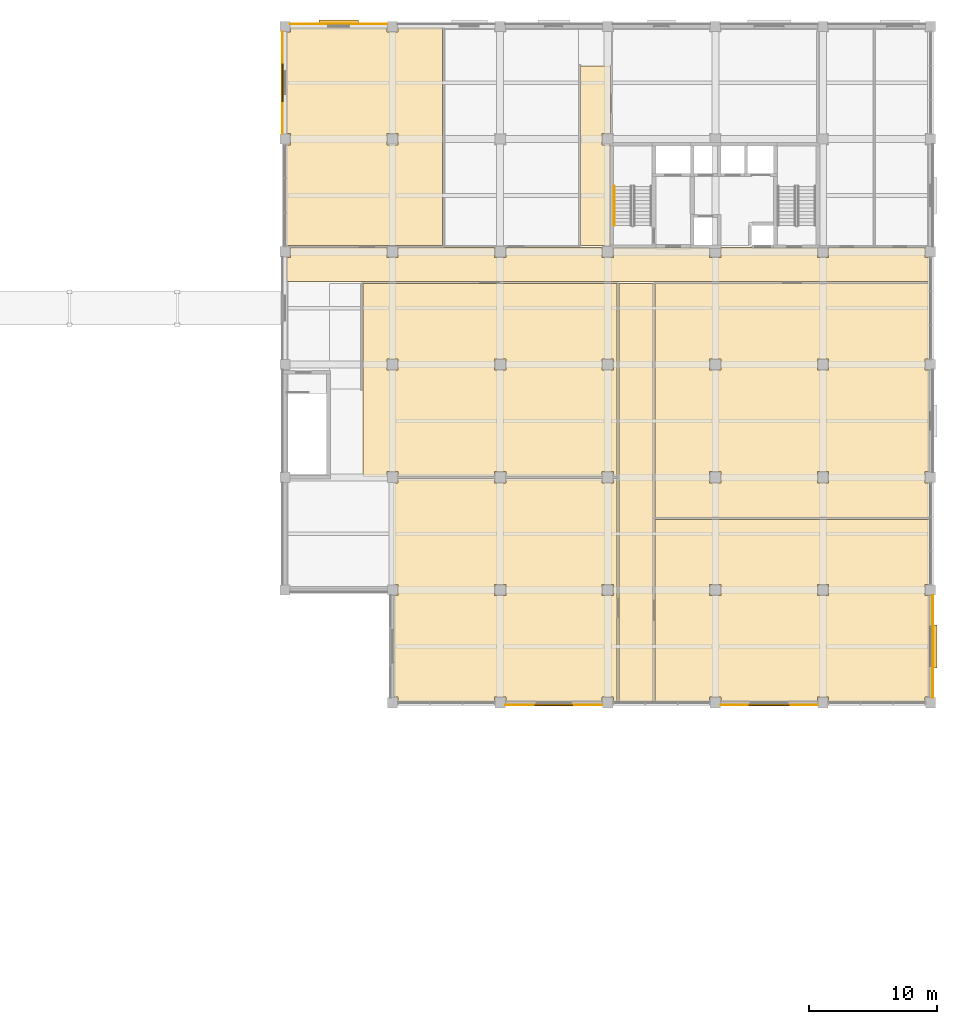
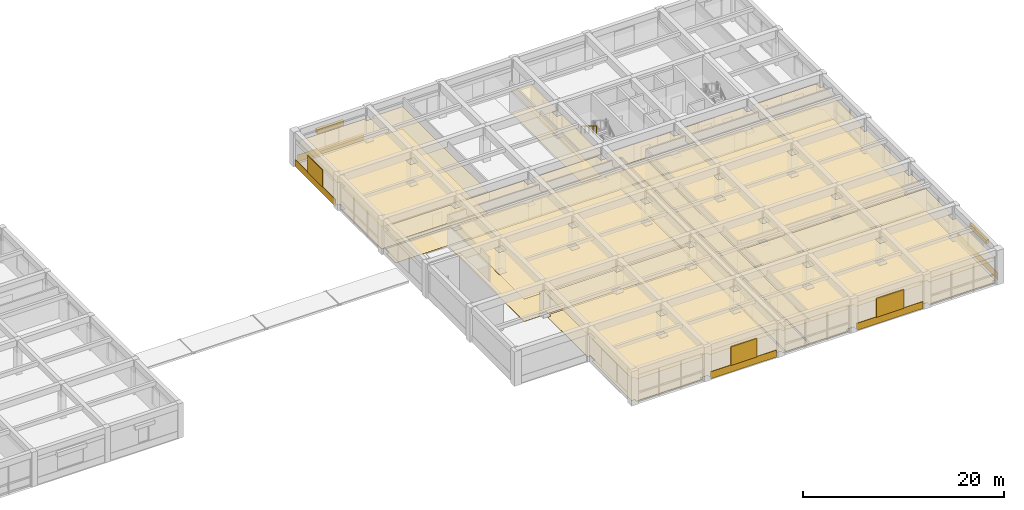
# One storey, part 44 of 46: 21 coverings, 5 shading devices, 1 railing.
"""IFC4 building model written with IfcOpenShell, lengths in metres."""

from ifc_helpers import new_model, si_unit, direction, frame, origin, origin_2d, place, context, subcontext, project, spatial, polyline, rectangle, circle, outline, extrude, material, layer, layer_set, type_object, element, save


model = new_model("IFC4")

# Units and contexts
model_context = context("Model", 3, precision=1e-05, world=origin(), true_north=direction((0.0, 1.0)))
body_context = subcontext(model_context, "Body", "Model", "MODEL_VIEW")
ifc_project = project(units=[si_unit("LENGTHUNIT", "METRE"), si_unit("AREAUNIT", "SQUARE_METRE"), si_unit("VOLUMEUNIT", "CUBIC_METRE"), si_unit("PLANEANGLEUNIT", "RADIAN"), si_unit("MASSUNIT", "GRAM", prefix="KILO")], contexts=[model_context])

# Site, building, storey
site_placement = place(None, origin())
site = spatial("IfcSite", under=ifc_project, at=site_placement, CompositionType="ELEMENT")
building_placement = place(site_placement, origin())
building = spatial("IfcBuilding", under=site, at=building_placement, Name="Kemercrest Conservatory and Botanical Centre", CompositionType="ELEMENT")
storey_placement = place(building_placement, frame((0.0, 0.0, 9.0)))
storey = spatial("IfcBuildingStorey", under=building, at=storey_placement, Name="L02", CompositionType="ELEMENT", Elevation=9.0)

# Coverings
ifc_material_1 = material(Name="Honed limestone almasik ashlar rainscreen", Category="masonry")
ifc_layer_1 = layer(ifc_material_1, 0.0400390625)
ifc_layer_set_1 = layer_set([ifc_layer_1], Name="Honed limestone almasik ashlar rainscreen")
covering_type_1 = type_object("IfcCoveringType", Name="CV-CLD040", PredefinedType="CLADDING", material=ifc_layer_set_1)
covering_1_placement = place(storey_placement, origin())
element("IfcCovering", 1, at=covering_1_placement, inside=storey, type_object=covering_type_1, Name="Exterior stone spandrel cladding (WAL:L02:EXT-193)", PredefinedType="CLADDING", context=body_context, shape_type="SweptSolid", body=[
    extrude(outline(polyline([(142.81005859375, 69.449951171875), (142.81005859375, 69.409912109375), (150.389892578125, 69.409912109375), (150.389892578125, 69.449951171875), (142.81005859375, 69.449951171875)])), origin(), (0.0, 0.0, 1.0), 0.85009765625),
])
covering_2_placement = place(storey_placement, origin())
element("IfcCovering", 2, at=covering_2_placement, inside=storey, type_object=covering_type_1, Name="Exterior stone spandrel cladding (WAL:L02:EXT-194)", PredefinedType="CLADDING", context=body_context, shape_type="SweptSolid", body=[
    extrude(outline(polyline([(159.610107421875, 69.449951171875), (159.610107421875, 69.409912109375), (167.18994140625, 69.409912109375), (167.18994140625, 69.449951171875), (159.610107421875, 69.449951171875)])), origin(), (0.0, 0.0, 1.0), 0.85009765625),
])
covering_3_placement = place(storey_placement, origin())
element("IfcCovering", 3, at=covering_3_placement, inside=storey, type_object=covering_type_1, Name="Exterior stone spandrel cladding (WAL:L02:EXT-195)", PredefinedType="CLADDING", context=body_context, shape_type="SweptSolid", body=[
    extrude(outline(polyline([(176.14990234375, 70.010009765625), (176.18994140625, 70.010009765625), (176.18994140625, 77.989990234375), (176.14990234375, 77.989990234375), (176.14990234375, 70.010009765625)])), origin(), (0.0, 0.0, 1.0), 0.85009765625),
])
covering_4_placement = place(storey_placement, origin())
element("IfcCovering", 4, at=covering_4_placement, inside=storey, type_object=covering_type_1, Name="Exterior stone spandrel cladding (WAL:L02:EXT-203)", PredefinedType="CLADDING", context=body_context, shape_type="SweptSolid", body=[
    extrude(outline(polyline([(133.590087890625, 122.550048828125), (133.590087890625, 122.590087890625), (126.010009765625, 122.590087890625), (126.010009765625, 122.550048828125), (133.590087890625, 122.550048828125)])), origin(), (0.0, 0.0, 1.0), 0.85009765625),
])
covering_5_placement = place(storey_placement, origin())
element("IfcCovering", 5, at=covering_5_placement, inside=storey, type_object=covering_type_1, Name="Exterior stone spandrel cladding (WAL:L02:EXT-204)", PredefinedType="CLADDING", context=body_context, shape_type="SweptSolid", body=[
    extrude(outline(polyline([(125.449951171875, 121.989990234375), (125.409912109375, 121.989990234375), (125.409912109375, 114.010009765625), (125.449951171875, 114.010009765625), (125.449951171875, 121.989990234375)])), origin(), (0.0, 0.0, 1.0), 0.85009765625),
])
ifc_material_2 = material(Name="Perforated acoustic gypsum and mineral-fibre suspended ceiling", Category="gypsum")
ifc_layer_2 = layer(ifc_material_2, 0.034912109375)
ifc_layer_set_2 = layer_set([ifc_layer_2], Name="Perforated acoustic gypsum and mineral-fibre suspended ceiling")
covering_type_2 = type_object("IfcCoveringType", Name="CV-CLG035", PredefinedType="CEILING", material=ifc_layer_set_2)
covering_6_placement = place(storey_placement, frame((0.0, 0.0, 2.699951171875)))
element("IfcCovering", 6, at=covering_6_placement, inside=storey, type_object=covering_type_2, Name="Level L02 Corridor suspended acoustic ceiling", PredefinedType="CEILING", context=body_context, shape_type="SweptSolid", body=[
    extrude(outline(polyline([(125.679931640625, 102.47998046875), (175.919921875, 102.47998046875), (175.919921875, 104.360107421875), (175.56005859375, 104.360107421875), (175.56005859375, 105.1201171875), (168.0400390625, 105.1201171875), (168.0400390625, 104.360107421875), (167.159912109375, 104.360107421875), (167.159912109375, 105.1201171875), (159.639892578125, 105.1201171875), (159.639892578125, 104.360107421875), (158.760009765625, 104.360107421875), (158.760009765625, 105.1201171875), (151.239990234375, 105.1201171875), (151.239990234375, 104.360107421875), (150.360107421875, 104.360107421875), (150.360107421875, 105.1201171875), (142.840087890625, 105.1201171875), (142.840087890625, 104.360107421875), (141.9599609375, 104.360107421875), (141.9599609375, 105.1201171875), (134.43994140625, 105.1201171875), (134.43994140625, 104.360107421875), (133.56005859375, 104.360107421875), (133.56005859375, 105.1201171875), (126.0400390625, 105.1201171875), (126.0400390625, 104.360107421875), (125.679931640625, 104.360107421875), (125.679931640625, 102.47998046875)])), origin(), (0.0, 0.0, 1.0), 0.03515625),
])
covering_7_placement = place(storey_placement, frame((0.0, 0.0, 2.699951171875)))
element("IfcCovering", 7, at=covering_7_placement, inside=storey, type_object=covering_type_2, Name="Level L02 South Corridor suspended acoustic ceiling", PredefinedType="CEILING", context=body_context, shape_type="SweptSolid", body=[
    extrude(outline(polyline([(151.679931640625, 69.679931640625), (154.320068359375, 69.679931640625), (154.320068359375, 102.320068359375), (151.679931640625, 102.320068359375), (151.679931640625, 69.679931640625)])), origin(), (0.0, 0.0, 1.0), 0.03515625),
])
covering_8_placement = place(storey_placement, frame((0.0, 0.0, 2.699951171875)))
element("IfcCovering", 8, at=covering_8_placement, inside=storey, type_object=covering_type_2, Name="Soil Ecology Research Laboratory suspended acoustic ceiling", PredefinedType="CEILING", context=body_context, shape_type="SweptSolid", body=[
    extrude(outline(polyline([(150.360107421875, 70.0400390625), (151.239990234375, 70.0400390625), (151.239990234375, 69.679931640625), (151.52001953125, 69.679931640625), (151.52001953125, 87.1201171875), (151.239990234375, 87.1201171875), (151.239990234375, 86.760009765625), (150.360107421875, 86.760009765625), (150.360107421875, 87.1201171875), (142.840087890625, 87.1201171875), (142.840087890625, 86.760009765625), (141.9599609375, 86.760009765625), (141.9599609375, 87.1201171875), (134.43994140625, 87.1201171875), (134.43994140625, 86.760009765625), (134.080078125, 86.760009765625), (134.080078125, 78.840087890625), (134.43994140625, 78.840087890625), (134.43994140625, 77.9599609375), (134.080078125, 77.9599609375), (134.080078125, 70.0400390625), (134.43994140625, 70.0400390625), (134.43994140625, 69.679931640625), (141.9599609375, 69.679931640625), (141.9599609375, 70.0400390625), (142.840087890625, 70.0400390625), (142.840087890625, 69.679931640625), (150.360107421875, 69.679931640625), (150.360107421875, 70.0400390625)]), holes=[polyline([(151.239990234375, 77.9599609375), (150.360107421875, 77.9599609375), (150.360107421875, 78.840087890625), (151.239990234375, 78.840087890625), (151.239990234375, 77.9599609375)]), polyline([(142.840087890625, 77.9599609375), (141.9599609375, 77.9599609375), (141.9599609375, 78.840087890625), (142.840087890625, 78.840087890625), (142.840087890625, 77.9599609375)])]), origin(), (0.0, 0.0, 1.0), 0.03515625),
])
covering_9_placement = place(storey_placement, frame((0.0, 0.0, 2.699951171875)))
element("IfcCovering", 9, at=covering_9_placement, inside=storey, type_object=covering_type_2, Name="Mycology Research Laboratory suspended acoustic ceiling", PredefinedType="CEILING", context=body_context, shape_type="SweptSolid", body=[
    extrude(outline(polyline([(167.159912109375, 70.0400390625), (168.0400390625, 70.0400390625), (168.0400390625, 69.679931640625), (175.56005859375, 69.679931640625), (175.56005859375, 70.0400390625), (175.919921875, 70.0400390625), (175.919921875, 77.9599609375), (175.56005859375, 77.9599609375), (175.56005859375, 78.840087890625), (175.919921875, 78.840087890625), (175.919921875, 83.919921875), (154.47998046875, 83.919921875), (154.47998046875, 69.679931640625), (158.760009765625, 69.679931640625), (158.760009765625, 70.0400390625), (159.639892578125, 70.0400390625), (159.639892578125, 69.679931640625), (167.159912109375, 69.679931640625), (167.159912109375, 70.0400390625)]), holes=[polyline([(168.0400390625, 77.9599609375), (167.159912109375, 77.9599609375), (167.159912109375, 78.840087890625), (168.0400390625, 78.840087890625), (168.0400390625, 77.9599609375)]), polyline([(159.639892578125, 77.9599609375), (158.760009765625, 77.9599609375), (158.760009765625, 78.840087890625), (159.639892578125, 78.840087890625), (159.639892578125, 77.9599609375)])]), origin(), (0.0, 0.0, 1.0), 0.03515625),
])
covering_10_placement = place(storey_placement, frame((0.0, 0.0, 2.699951171875)))
element("IfcCovering", 10, at=covering_10_placement, inside=storey, type_object=covering_type_2, Name="Phytochemistry Laboratory suspended acoustic ceiling", PredefinedType="CEILING", context=body_context, shape_type="SweptSolid", body=[
    extrude(outline(polyline([(175.919921875, 102.320068359375), (154.47998046875, 102.320068359375), (154.47998046875, 84.080078125), (175.919921875, 84.080078125), (175.919921875, 86.760009765625), (175.56005859375, 86.760009765625), (175.56005859375, 87.639892578125), (175.919921875, 87.639892578125), (175.919921875, 95.56005859375), (175.56005859375, 95.56005859375), (175.56005859375, 96.43994140625), (175.919921875, 96.43994140625), (175.919921875, 102.320068359375)]), holes=[polyline([(167.159912109375, 95.56005859375), (167.159912109375, 96.43994140625), (168.0400390625, 96.43994140625), (168.0400390625, 95.56005859375), (167.159912109375, 95.56005859375)]), polyline([(168.0400390625, 86.760009765625), (167.159912109375, 86.760009765625), (167.159912109375, 87.639892578125), (168.0400390625, 87.639892578125), (168.0400390625, 86.760009765625)]), polyline([(158.760009765625, 95.56005859375), (158.760009765625, 96.43994140625), (159.639892578125, 96.43994140625), (159.639892578125, 95.56005859375), (158.760009765625, 95.56005859375)]), polyline([(159.639892578125, 86.760009765625), (158.760009765625, 86.760009765625), (158.760009765625, 87.639892578125), (159.639892578125, 87.639892578125), (159.639892578125, 86.760009765625)])]), origin(), (0.0, 0.0, 1.0), 0.03515625),
])
covering_11_placement = place(storey_placement, frame((0.0, 0.0, 2.699951171875)))
element("IfcCovering", 11, at=covering_11_placement, inside=storey, type_object=covering_type_2, Name="Botanical Seminar Room suspended acoustic ceiling", PredefinedType="CEILING", context=body_context, shape_type="SweptSolid", body=[
    extrude(outline(polyline([(150.360107421875, 87.639892578125), (151.239990234375, 87.639892578125), (151.239990234375, 87.280029296875), (151.52001953125, 87.280029296875), (151.52001953125, 102.320068359375), (131.679931640625, 102.320068359375), (131.679931640625, 87.280029296875), (133.56005859375, 87.280029296875), (133.56005859375, 87.639892578125), (134.43994140625, 87.639892578125), (134.43994140625, 87.280029296875), (141.9599609375, 87.280029296875), (141.9599609375, 87.639892578125), (142.840087890625, 87.639892578125), (142.840087890625, 87.280029296875), (150.360107421875, 87.280029296875), (150.360107421875, 87.639892578125)]), holes=[polyline([(151.239990234375, 95.56005859375), (150.360107421875, 95.56005859375), (150.360107421875, 96.43994140625), (151.239990234375, 96.43994140625), (151.239990234375, 95.56005859375)]), polyline([(142.840087890625, 95.56005859375), (141.9599609375, 95.56005859375), (141.9599609375, 96.43994140625), (142.840087890625, 96.43994140625), (142.840087890625, 95.56005859375)]), polyline([(134.43994140625, 95.56005859375), (133.56005859375, 95.56005859375), (133.56005859375, 96.43994140625), (134.43994140625, 96.43994140625), (134.43994140625, 95.56005859375)])]), origin(), (0.0, 0.0, 1.0), 0.03515625),
])
covering_12_placement = place(storey_placement, frame((0.0, 0.0, 2.699951171875)))
element("IfcCovering", 12, at=covering_12_placement, inside=storey, type_object=covering_type_2, Name="Academic Fellowship Office suspended acoustic ceiling", PredefinedType="CEILING", context=body_context, shape_type="SweptSolid", body=[
    extrude(outline(polyline([(126.0400390625, 113.159912109375), (125.679931640625, 113.159912109375), (125.679931640625, 105.280029296875), (137.919921875, 105.280029296875), (137.919921875, 122.320068359375), (134.43994140625, 122.320068359375), (134.43994140625, 121.9599609375), (133.56005859375, 121.9599609375), (133.56005859375, 122.320068359375), (126.0400390625, 122.320068359375), (126.0400390625, 121.9599609375), (125.679931640625, 121.9599609375), (125.679931640625, 114.0400390625), (126.0400390625, 114.0400390625), (126.0400390625, 113.159912109375)]), holes=[polyline([(134.43994140625, 113.159912109375), (133.56005859375, 113.159912109375), (133.56005859375, 114.0400390625), (134.43994140625, 114.0400390625), (134.43994140625, 113.159912109375)])]), origin(), (0.0, 0.0, 1.0), 0.03515625),
])
covering_13_placement = place(storey_placement, frame((0.0, 0.0, 2.699951171875)))
element("IfcCovering", 13, at=covering_13_placement, inside=storey, type_object=covering_type_2, Name="North Core Lobby Branch suspended acoustic ceiling", PredefinedType="CEILING", context=body_context, shape_type="SweptSolid", body=[
    extrude(outline(polyline([(148.679931640625, 105.280029296875), (151.02001953125, 105.280029296875), (151.02001953125, 113.159912109375), (150.360107421875, 113.159912109375), (150.360107421875, 114.0400390625), (151.02001953125, 114.0400390625), (151.02001953125, 119.320068359375), (148.679931640625, 119.320068359375), (148.679931640625, 105.280029296875)])), origin(), (0.0, 0.0, 1.0), 0.03515625),
])
ifc_material_3 = material(Name="Polished limestone terrazzo and seamless laboratory epoxy flooring", Category="masonry")
ifc_layer_3 = layer(ifc_material_3, 0.02001953125)
ifc_layer_set_3 = layer_set([ifc_layer_3], Name="Polished limestone terrazzo and seamless laboratory epoxy flooring")
covering_type_3 = type_object("IfcCoveringType", Name="CV-FLR020", PredefinedType="FLOORING", material=ifc_layer_set_3)
covering_14_placement = place(storey_placement, origin())
element("IfcCovering", 14, at=covering_14_placement, inside=storey, type_object=covering_type_3, Name="Level L02 Corridor floor finish", PredefinedType="FLOORING", context=body_context, shape_type="SweptSolid", body=[
    extrude(outline(polyline([(125.679931640625, 102.47998046875), (175.919921875, 102.47998046875), (175.919921875, 104.360107421875), (175.56005859375, 104.360107421875), (175.56005859375, 105.1201171875), (168.0400390625, 105.1201171875), (168.0400390625, 104.360107421875), (167.159912109375, 104.360107421875), (167.159912109375, 105.1201171875), (159.639892578125, 105.1201171875), (159.639892578125, 104.360107421875), (158.760009765625, 104.360107421875), (158.760009765625, 105.1201171875), (151.239990234375, 105.1201171875), (151.239990234375, 104.360107421875), (150.360107421875, 104.360107421875), (150.360107421875, 105.1201171875), (142.840087890625, 105.1201171875), (142.840087890625, 104.360107421875), (141.9599609375, 104.360107421875), (141.9599609375, 105.1201171875), (134.43994140625, 105.1201171875), (134.43994140625, 104.360107421875), (133.56005859375, 104.360107421875), (133.56005859375, 105.1201171875), (126.0400390625, 105.1201171875), (126.0400390625, 104.360107421875), (125.679931640625, 104.360107421875), (125.679931640625, 102.47998046875)])), origin(), (0.0, 0.0, 1.0), 0.02001953125),
])
covering_15_placement = place(storey_placement, origin())
element("IfcCovering", 15, at=covering_15_placement, inside=storey, type_object=covering_type_3, Name="Level L02 South Corridor floor finish", PredefinedType="FLOORING", context=body_context, shape_type="SweptSolid", body=[
    extrude(outline(polyline([(151.679931640625, 69.679931640625), (154.320068359375, 69.679931640625), (154.320068359375, 102.320068359375), (151.679931640625, 102.320068359375), (151.679931640625, 69.679931640625)])), origin(), (0.0, 0.0, 1.0), 0.02001953125),
])
covering_16_placement = place(storey_placement, origin())
element("IfcCovering", 16, at=covering_16_placement, inside=storey, type_object=covering_type_3, Name="Soil Ecology Research Laboratory floor finish", PredefinedType="FLOORING", context=body_context, shape_type="SweptSolid", body=[
    extrude(outline(polyline([(150.360107421875, 70.0400390625), (151.239990234375, 70.0400390625), (151.239990234375, 69.679931640625), (151.52001953125, 69.679931640625), (151.52001953125, 87.1201171875), (151.239990234375, 87.1201171875), (151.239990234375, 86.760009765625), (150.360107421875, 86.760009765625), (150.360107421875, 87.1201171875), (142.840087890625, 87.1201171875), (142.840087890625, 86.760009765625), (141.9599609375, 86.760009765625), (141.9599609375, 87.1201171875), (134.43994140625, 87.1201171875), (134.43994140625, 86.760009765625), (134.080078125, 86.760009765625), (134.080078125, 78.840087890625), (134.43994140625, 78.840087890625), (134.43994140625, 77.9599609375), (134.080078125, 77.9599609375), (134.080078125, 70.0400390625), (134.43994140625, 70.0400390625), (134.43994140625, 69.679931640625), (141.9599609375, 69.679931640625), (141.9599609375, 70.0400390625), (142.840087890625, 70.0400390625), (142.840087890625, 69.679931640625), (150.360107421875, 69.679931640625), (150.360107421875, 70.0400390625)]), holes=[polyline([(151.239990234375, 77.9599609375), (150.360107421875, 77.9599609375), (150.360107421875, 78.840087890625), (151.239990234375, 78.840087890625), (151.239990234375, 77.9599609375)]), polyline([(142.840087890625, 77.9599609375), (141.9599609375, 77.9599609375), (141.9599609375, 78.840087890625), (142.840087890625, 78.840087890625), (142.840087890625, 77.9599609375)])]), origin(), (0.0, 0.0, 1.0), 0.02001953125),
])
covering_17_placement = place(storey_placement, origin())
element("IfcCovering", 17, at=covering_17_placement, inside=storey, type_object=covering_type_3, Name="Mycology Research Laboratory floor finish", PredefinedType="FLOORING", context=body_context, shape_type="SweptSolid", body=[
    extrude(outline(polyline([(167.159912109375, 70.0400390625), (168.0400390625, 70.0400390625), (168.0400390625, 69.679931640625), (175.56005859375, 69.679931640625), (175.56005859375, 70.0400390625), (175.919921875, 70.0400390625), (175.919921875, 77.9599609375), (175.56005859375, 77.9599609375), (175.56005859375, 78.840087890625), (175.919921875, 78.840087890625), (175.919921875, 83.919921875), (154.47998046875, 83.919921875), (154.47998046875, 69.679931640625), (158.760009765625, 69.679931640625), (158.760009765625, 70.0400390625), (159.639892578125, 70.0400390625), (159.639892578125, 69.679931640625), (167.159912109375, 69.679931640625), (167.159912109375, 70.0400390625)]), holes=[polyline([(168.0400390625, 77.9599609375), (167.159912109375, 77.9599609375), (167.159912109375, 78.840087890625), (168.0400390625, 78.840087890625), (168.0400390625, 77.9599609375)]), polyline([(159.639892578125, 77.9599609375), (158.760009765625, 77.9599609375), (158.760009765625, 78.840087890625), (159.639892578125, 78.840087890625), (159.639892578125, 77.9599609375)])]), origin(), (0.0, 0.0, 1.0), 0.02001953125),
])
covering_18_placement = place(storey_placement, origin())
element("IfcCovering", 18, at=covering_18_placement, inside=storey, type_object=covering_type_3, Name="Phytochemistry Laboratory floor finish", PredefinedType="FLOORING", context=body_context, shape_type="SweptSolid", body=[
    extrude(outline(polyline([(175.919921875, 102.320068359375), (154.47998046875, 102.320068359375), (154.47998046875, 84.080078125), (175.919921875, 84.080078125), (175.919921875, 86.760009765625), (175.56005859375, 86.760009765625), (175.56005859375, 87.639892578125), (175.919921875, 87.639892578125), (175.919921875, 95.56005859375), (175.56005859375, 95.56005859375), (175.56005859375, 96.43994140625), (175.919921875, 96.43994140625), (175.919921875, 102.320068359375)]), holes=[polyline([(167.159912109375, 95.56005859375), (167.159912109375, 96.43994140625), (168.0400390625, 96.43994140625), (168.0400390625, 95.56005859375), (167.159912109375, 95.56005859375)]), polyline([(168.0400390625, 86.760009765625), (167.159912109375, 86.760009765625), (167.159912109375, 87.639892578125), (168.0400390625, 87.639892578125), (168.0400390625, 86.760009765625)]), polyline([(158.760009765625, 95.56005859375), (158.760009765625, 96.43994140625), (159.639892578125, 96.43994140625), (159.639892578125, 95.56005859375), (158.760009765625, 95.56005859375)]), polyline([(159.639892578125, 86.760009765625), (158.760009765625, 86.760009765625), (158.760009765625, 87.639892578125), (159.639892578125, 87.639892578125), (159.639892578125, 86.760009765625)])]), origin(), (0.0, 0.0, 1.0), 0.02001953125),
])
covering_19_placement = place(storey_placement, origin())
element("IfcCovering", 19, at=covering_19_placement, inside=storey, type_object=covering_type_3, Name="Botanical Seminar Room floor finish", PredefinedType="FLOORING", context=body_context, shape_type="SweptSolid", body=[
    extrude(outline(polyline([(150.360107421875, 87.639892578125), (151.239990234375, 87.639892578125), (151.239990234375, 87.280029296875), (151.52001953125, 87.280029296875), (151.52001953125, 102.320068359375), (131.679931640625, 102.320068359375), (131.679931640625, 87.280029296875), (133.56005859375, 87.280029296875), (133.56005859375, 87.639892578125), (134.43994140625, 87.639892578125), (134.43994140625, 87.280029296875), (141.9599609375, 87.280029296875), (141.9599609375, 87.639892578125), (142.840087890625, 87.639892578125), (142.840087890625, 87.280029296875), (150.360107421875, 87.280029296875), (150.360107421875, 87.639892578125)]), holes=[polyline([(151.239990234375, 95.56005859375), (150.360107421875, 95.56005859375), (150.360107421875, 96.43994140625), (151.239990234375, 96.43994140625), (151.239990234375, 95.56005859375)]), polyline([(142.840087890625, 95.56005859375), (141.9599609375, 95.56005859375), (141.9599609375, 96.43994140625), (142.840087890625, 96.43994140625), (142.840087890625, 95.56005859375)]), polyline([(134.43994140625, 95.56005859375), (133.56005859375, 95.56005859375), (133.56005859375, 96.43994140625), (134.43994140625, 96.43994140625), (134.43994140625, 95.56005859375)])]), origin(), (0.0, 0.0, 1.0), 0.02001953125),
])
covering_20_placement = place(storey_placement, origin())
element("IfcCovering", 20, at=covering_20_placement, inside=storey, type_object=covering_type_3, Name="Academic Fellowship Office floor finish", PredefinedType="FLOORING", context=body_context, shape_type="SweptSolid", body=[
    extrude(outline(polyline([(126.0400390625, 113.159912109375), (125.679931640625, 113.159912109375), (125.679931640625, 105.280029296875), (137.919921875, 105.280029296875), (137.919921875, 122.320068359375), (134.43994140625, 122.320068359375), (134.43994140625, 121.9599609375), (133.56005859375, 121.9599609375), (133.56005859375, 122.320068359375), (126.0400390625, 122.320068359375), (126.0400390625, 121.9599609375), (125.679931640625, 121.9599609375), (125.679931640625, 114.0400390625), (126.0400390625, 114.0400390625), (126.0400390625, 113.159912109375)]), holes=[polyline([(134.43994140625, 113.159912109375), (133.56005859375, 113.159912109375), (133.56005859375, 114.0400390625), (134.43994140625, 114.0400390625), (134.43994140625, 113.159912109375)])]), origin(), (0.0, 0.0, 1.0), 0.02001953125),
])
covering_21_placement = place(storey_placement, origin())
element("IfcCovering", 21, at=covering_21_placement, inside=storey, type_object=covering_type_3, Name="North Core Lobby Branch floor finish", PredefinedType="FLOORING", context=body_context, shape_type="SweptSolid", body=[
    extrude(outline(polyline([(148.679931640625, 105.280029296875), (151.02001953125, 105.280029296875), (151.02001953125, 113.159912109375), (150.360107421875, 113.159912109375), (150.360107421875, 114.0400390625), (151.02001953125, 114.0400390625), (151.02001953125, 119.320068359375), (148.679931640625, 119.320068359375), (148.679931640625, 105.280029296875)])), origin(), (0.0, 0.0, 1.0), 0.02001953125),
])

# Railing
ifc_material_4 = material(Name="Brushed stainless steel wall-mounted handrail", Category="steel")
railing_type = type_object("IfcRailingType", Name="HR-STR090", PredefinedType="HANDRAIL", material=ifc_material_4)
railing_placement = place(storey_placement, frame((151.31005859375, 109.919921875, 2.27490234375)))
element("IfcRailing", 22, at=railing_placement, inside=storey, type_object=railing_type, Name="L02 ST-V4A stair handrail 2", PredefinedType="HANDRAIL", context=body_context, shape_type="SweptSolid", body=[
    extrude(circle(Radius=0.02392578125, at=origin_2d()), frame((0.0, 0.0, 0.8759765625), z_axis=(0.0, -0.847979421464, 0.530029150871), x_axis=(1.0, 0.0, 0.0)), (0.0, 0.0, 1.0), 3.632080078125),
    extrude(circle(Radius=0.02099609375, at=origin_2d()), origin(), (0.0, 0.0, 1.0), 0.851806640625),
    extrude(circle(Radius=0.02099609375, at=origin_2d()), frame((0.0, -0.77001953125, 0.481201171875)), (0.0, 0.0, 1.0), 0.851806640625),
    extrude(circle(Radius=0.02099609375, at=origin_2d()), frame((0.0, -1.5400390625, 0.96240234375)), (0.0, 0.0, 1.0), 0.851806640625),
    extrude(circle(Radius=0.02099609375, at=origin_2d()), frame((0.0, -2.309814453125, 1.44384765625)), (0.0, 0.0, 1.0), 0.851806640625),
    extrude(circle(Radius=0.02099609375, at=origin_2d()), frame((0.0, -3.079833984375, 1.925048828125)), (0.0, 0.0, 1.0), 0.851806640625),
])

# Shading devices
ifc_material_5 = material(Name="Architectural bronze-anodized extruded aluminium", Category="aluminium")
shading_device_type_1 = type_object("IfcShadingDeviceType", Name="SH-JL01", PredefinedType="JALOUSIE", material=ifc_material_5)
shading_device_1_placement = place(storey_placement, frame((176.322998046875, 74.0, 2.93505859375), z_axis=(0.0, 0.0, 1.0), x_axis=(0.0, 1.0, 0.0)))
element("IfcShadingDevice", 23, at=shading_device_1_placement, inside=storey, type_object=shading_device_type_1, Name="Solar control louvre visor SH-JL01 (WIN:L02:EXT-195)", PredefinedType="JALOUSIE", context=body_context, shape_type="SweptSolid", body=[
    extrude(rectangle(XDim=3.360107421875, YDim=0.35009765625, at=origin_2d()), origin(), (0.0, 0.0, 1.0), 0.449951171875),
])
shading_device_type_2 = type_object("IfcShadingDeviceType", Name="SH-JL04", PredefinedType="JALOUSIE", material=ifc_material_5)
shading_device_2_placement = place(storey_placement, frame((129.800048828125, 122.722900390625, 2.610107421875), z_axis=(0.0, 0.0, 1.0), x_axis=(-1.0, 0.0, 0.0)))
element("IfcShadingDevice", 24, at=shading_device_2_placement, inside=storey, type_object=shading_device_type_2, Name="Solar control louvre visor SH-JL04 (WIN:L02:EXT-203)", PredefinedType="JALOUSIE", context=body_context, shape_type="SweptSolid", body=[
    extrude(rectangle(XDim=3.10009765625, YDim=0.35009765625, at=origin_2d()), origin(), (0.0, 0.0, 1.0), 0.5),
])
ifc_material_6 = material(Name="Perforated bronze-anodized aluminium", Category="aluminium")
shading_device_type_3 = type_object("IfcShadingDeviceType", Name="SH-MS04", PredefinedType="USERDEFINED", material=ifc_material_6)
shading_device_3_placement = place(storey_placement, frame((146.60009765625, 69.412109375, 0.81982421875), z_axis=(0.0, 0.0, 1.0), x_axis=(1.0, 0.0, 0.0)))
element("IfcShadingDevice", 25, at=shading_device_3_placement, inside=storey, type_object=shading_device_type_3, Name="Ottoman mashrabiya perforated screen SH-MS04 (WIN:L02:EXT-193)", ObjectType="MASHRABIYA SCREEN", PredefinedType="USERDEFINED", context=body_context, shape_type="SweptSolid", body=[
    extrude(rectangle(XDim=2.9599609375, YDim=0.080078125, at=origin_2d()), origin(), (0.0, 0.0, 1.0), 2.280029296875),
])
shading_device_type_4 = type_object("IfcShadingDeviceType", Name="SH-MS05", PredefinedType="USERDEFINED", material=ifc_material_6)
shading_device_4_placement = place(storey_placement, frame((163.39990234375, 69.412109375, 0.81982421875), z_axis=(0.0, 0.0, 1.0), x_axis=(1.0, 0.0, 0.0)))
element("IfcShadingDevice", 26, at=shading_device_4_placement, inside=storey, type_object=shading_device_type_4, Name="Ottoman mashrabiya perforated screen SH-MS05 (WIN:L02:EXT-194)", ObjectType="MASHRABIYA SCREEN", PredefinedType="USERDEFINED", context=body_context, shape_type="SweptSolid", body=[
    extrude(rectangle(XDim=3.159912109375, YDim=0.080078125, at=origin_2d()), origin(), (0.0, 0.0, 1.0), 2.300048828125),
])
shading_device_5_placement = place(storey_placement, frame((125.412109375, 118.0, 0.820068359375), z_axis=(0.0, 0.0, 1.0), x_axis=(0.0, -1.0, 0.0)))
element("IfcShadingDevice", 27, at=shading_device_5_placement, inside=storey, type_object=shading_device_type_4, Name="Ottoman mashrabiya perforated screen SH-MS05 (WIN:L02:EXT-204)", ObjectType="MASHRABIYA SCREEN", PredefinedType="USERDEFINED", context=body_context, shape_type="SweptSolid", body=[
    extrude(rectangle(XDim=3.0, YDim=0.080078125, at=origin_2d()), origin(), (0.0, 0.0, 1.0), 2.10009765625),
])

save(model, "model.ifc")
